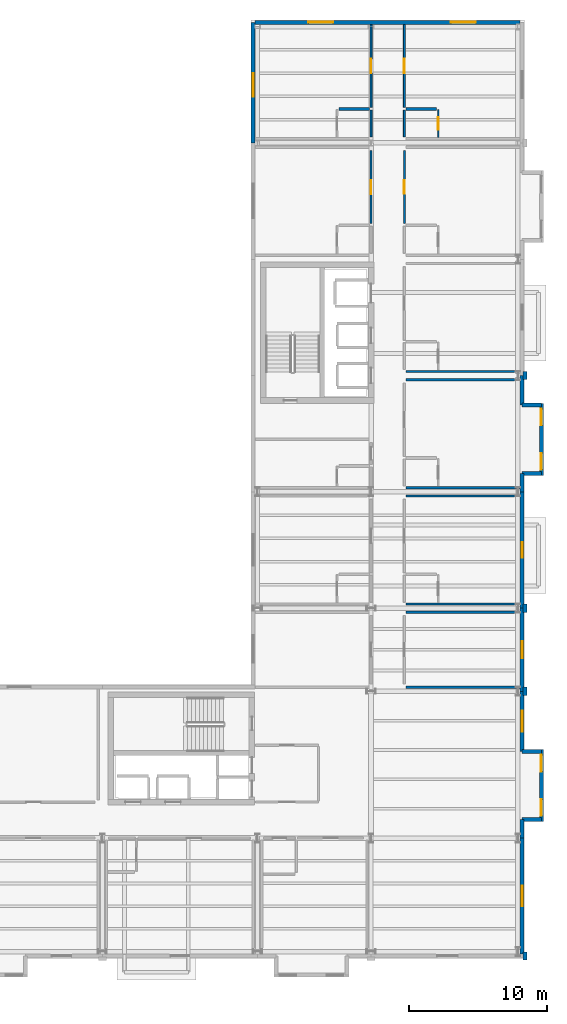
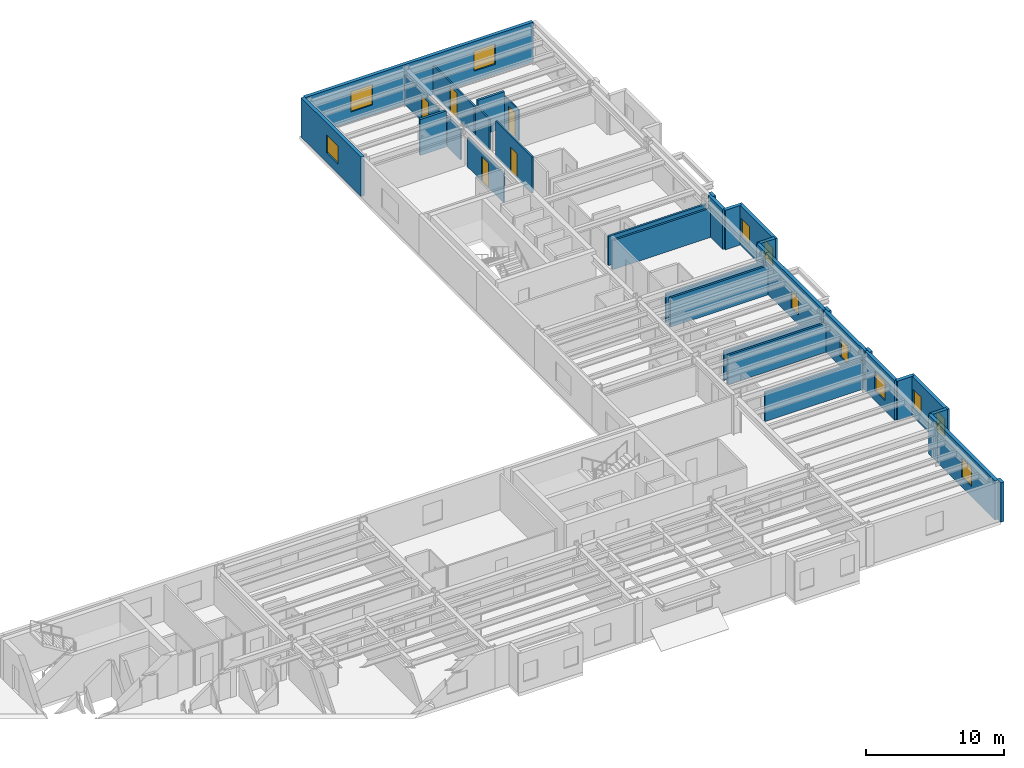
# One storey, part 17 of 23: 35 walls, 11 windows, 5 doors, 16 openings.
"""IFC4 building model written with IfcOpenShell, lengths in metres."""

from ifc_helpers import new_model, si_unit, direction, frame, frame_2d, origin, place, context, subcontext, project, spatial, rectangle, extrude, material, layer, layer_set, type_object, element, fill, save


model = new_model("IFC4")

# Units and contexts
model_context = context("Model", 3, precision=1e-05, world=origin(), true_north=direction((0.0, 1.0)))
body_context = subcontext(model_context, "Body", "Model", "MODEL_VIEW")
ifc_project = project(units=[si_unit("LENGTHUNIT", "METRE"), si_unit("AREAUNIT", "SQUARE_METRE"), si_unit("VOLUMEUNIT", "CUBIC_METRE"), si_unit("PLANEANGLEUNIT", "RADIAN"), si_unit("MASSUNIT", "GRAM", prefix="KILO")], contexts=[model_context])

# Site, building, storey
site_placement = place(None, origin())
site = spatial("IfcSite", under=ifc_project, at=site_placement, CompositionType="ELEMENT")
building_placement = place(site_placement, origin())
building = spatial("IfcBuilding", under=site, at=building_placement, Name="Sollismere Congress Hotel", CompositionType="ELEMENT")
storey_placement = place(building_placement, frame((0.0, 0.0, 30.60009765625)))
storey = spatial("IfcBuildingStorey", under=building, at=storey_placement, Name="L07", CompositionType="ELEMENT", Elevation=30.60009765625)

# Wall, opening, window
ifc_material_1 = material(Name="Colorado Buff Sandstone Rainscreen on Insulated Backup", Category="masonry")
ifc_layer_1 = layer(ifc_material_1, 0.284912109375, Name="Colorado Buff Sandstone Rainscreen on Insulated Backup")
ifc_layer_set_1 = layer_set([ifc_layer_1], Name="Colorado Buff Sandstone Rainscreen on Insulated Backup")
wall_type_1 = type_object("IfcWallType", Name="WL-EXT285", PredefinedType="STANDARD", material=ifc_layer_set_1)
wall_1_placement = place(storey_placement, frame((166.31005859375, -0.16552734375, 0.0), z_axis=(0.0, 0.0, 1.0), x_axis=(0.0, 1.0, 0.0)))
wall_1 = element("IfcWall", 1, at=wall_1_placement, inside=storey, type_object=wall_type_1, Name="Exterior wall EW-L07-769", PredefinedType="STANDARD", context=body_context, shape_type="SweptSolid", body=[
    extrude(rectangle(XDim=8.365478515625, YDim=0.284912109375, at=frame_2d((4.1826171875, 0.0))), origin(), (0.0, 0.0, 1.0), 3.5),
])
opening_1_placement = place(wall_1_placement, frame((3.4326171875, 0.0, 0.8798828125)))
opening_1 = element("IfcOpeningElement", 2, at=opening_1_placement, cuts=wall_1, Name="Opening W-L07-561", PredefinedType="OPENING", context=body_context, shape_type="SweptSolid", body=[
    extrude(rectangle(XDim=1.5, YDim=1.699951171875, at=frame_2d((0.75, 0.85009765625))), frame((0.0, 0.15234375, 0.0), z_axis=(0.0, -1.0, 0.0), x_axis=(1.0, 0.0, 0.0)), (0.0, 0.0, 1.0), 0.304931640625),
])
ifc_material_2 = material(Name="Thermally Broken Bronze Aluminum & Low-E Glass", Category="aluminium")
window_type_1 = type_object("IfcWindowType", Name="WN-P150x170", PartitioningType="SINGLE_PANEL", PredefinedType="WINDOW", material=ifc_material_2)
window_1_placement = place(opening_1_placement, origin())
window_1 = element("IfcWindow", 3, at=window_1_placement, inside=storey, type_object=window_type_1, Name="WIN-W-L07-561", OverallHeight=1.699951171875, OverallWidth=1.5, PartitioningType="SINGLE_PANEL", PredefinedType="WINDOW", context=body_context, shape_type="SweptSolid", body=[
    extrude(rectangle(XDim=1.5, YDim=1.699951171875, at=frame_2d((0.75, 0.85009765625))), frame((0.0, 0.030029296875, 0.0), z_axis=(0.0, -1.0, 0.0), x_axis=(1.0, 0.0, 0.0)), (0.0, 0.0, 1.0), 0.06005859375),
])
fill(opening_1, window_1)

# Wall
wall_2_placement = place(storey_placement, frame((166.31005859375, 8.199951171875, 0.0), z_axis=(0.0, 0.0, 1.0), x_axis=(0.0, 1.0, 0.0)))
element("IfcWall", 4, at=wall_2_placement, inside=storey, type_object=wall_type_1, Name="Exterior wall EW-L07-771", PredefinedType="STANDARD", context=body_context, shape_type="SweptSolid", body=[
    extrude(rectangle(XDim=1.340087890625, YDim=0.284912109375, at=frame_2d((0.669921875, 0.0))), origin(), (0.0, 0.0, 1.0), 3.5),
])

# Wall, opening, window
wall_3_placement = place(storey_placement, frame((166.31005859375, 14.4599609375, 0.0), z_axis=(0.0, 0.0, 1.0), x_axis=(0.0, 1.0, 0.0)))
wall_3 = element("IfcWall", 5, at=wall_3_placement, inside=storey, type_object=wall_type_1, Name="Exterior wall EW-L07-772", PredefinedType="STANDARD", context=body_context, shape_type="SweptSolid", body=[
    extrude(rectangle(XDim=4.340087890625, YDim=0.284912109375, at=frame_2d((2.169921875, 0.0))), origin(), (0.0, 0.0, 1.0), 3.5),
])
opening_2_placement = place(wall_3_placement, frame((1.419921875, 0.0, 0.8798828125)))
opening_2 = element("IfcOpeningElement", 6, at=opening_2_placement, cuts=wall_3, Name="Opening W-L07-562", PredefinedType="OPENING", context=body_context, shape_type="SweptSolid", body=[
    extrude(rectangle(XDim=1.5, YDim=1.699951171875, at=frame_2d((0.75, 0.85009765625))), frame((0.0, 0.15234375, 0.0), z_axis=(0.0, -1.0, 0.0), x_axis=(1.0, 0.0, 0.0)), (0.0, 0.0, 1.0), 0.304931640625),
])
window_2_placement = place(opening_2_placement, origin())
window_2 = element("IfcWindow", 7, at=window_2_placement, inside=storey, type_object=window_type_1, Name="WIN-W-L07-562", OverallHeight=1.699951171875, OverallWidth=1.5, PartitioningType="SINGLE_PANEL", PredefinedType="WINDOW", context=body_context, shape_type="SweptSolid", body=[
    extrude(rectangle(XDim=1.5, YDim=1.699951171875, at=frame_2d((0.75, 0.85009765625))), frame((0.0, 0.030029296875, 0.0), z_axis=(0.0, -1.0, 0.0), x_axis=(1.0, 0.0, 0.0)), (0.0, 0.0, 1.0), 0.06005859375),
])
fill(opening_2, window_2)

# Wall, openings, windows
wall_4_placement = place(storey_placement, frame((167.699951171875, 9.39990234375, 0.0), z_axis=(0.0, 0.0, 1.0), x_axis=(0.0, 1.0, 0.0)))
wall_4 = element("IfcWall", 8, at=wall_4_placement, inside=storey, type_object=wall_type_1, Name="Exterior wall EW-L07-773", PredefinedType="STANDARD", context=body_context, shape_type="SweptSolid", body=[
    extrude(rectangle(XDim=5.2001953125, YDim=0.284912109375, at=frame_2d((2.60009765625, 0.0))), origin(), (0.0, 0.0, 1.0), 3.5),
])
opening_3_placement = place(wall_4_placement, frame((0.39990234375, 0.0, 0.85009765625)))
opening_3 = element("IfcOpeningElement", 9, at=opening_3_placement, cuts=wall_4, Name="Opening W-L07-563", PredefinedType="OPENING", context=body_context, shape_type="SweptSolid", body=[
    extrude(rectangle(XDim=1.199951171875, YDim=1.60009765625, at=frame_2d((0.60009765625, 0.800048828125))), frame((0.0, 0.15234375, 0.0), z_axis=(0.0, -1.0, 0.0), x_axis=(1.0, 0.0, 0.0)), (0.0, 0.0, 1.0), 0.304931640625),
])
opening_4_placement = place(wall_4_placement, frame((3.60009765625, 0.0, 0.85009765625)))
opening_4 = element("IfcOpeningElement", 10, at=opening_4_placement, cuts=wall_4, Name="Opening W-L07-564", PredefinedType="OPENING", context=body_context, shape_type="SweptSolid", body=[
    extrude(rectangle(XDim=1.199951171875, YDim=1.60009765625, at=frame_2d((0.60009765625, 0.800048828125))), frame((0.0, 0.15234375, 0.0), z_axis=(0.0, -1.0, 0.0), x_axis=(1.0, 0.0, 0.0)), (0.0, 0.0, 1.0), 0.304931640625),
])
window_type_2 = type_object("IfcWindowType", Name="WN-P120x160", PartitioningType="SINGLE_PANEL", PredefinedType="WINDOW", material=ifc_material_2)
window_3_placement = place(opening_3_placement, origin())
window_3 = element("IfcWindow", 11, at=window_3_placement, inside=storey, type_object=window_type_2, Name="WIN-W-L07-563", OverallHeight=1.60009765625, OverallWidth=1.199951171875, PartitioningType="SINGLE_PANEL", PredefinedType="WINDOW", context=body_context, shape_type="SweptSolid", body=[
    extrude(rectangle(XDim=1.199951171875, YDim=1.60009765625, at=frame_2d((0.60009765625, 0.800048828125))), frame((0.0, 0.030029296875, 0.0), z_axis=(0.0, -1.0, 0.0), x_axis=(1.0, 0.0, 0.0)), (0.0, 0.0, 1.0), 0.06005859375),
])
fill(opening_3, window_3)
window_4_placement = place(opening_4_placement, origin())
window_4 = element("IfcWindow", 12, at=window_4_placement, inside=storey, type_object=window_type_2, Name="WIN-W-L07-564", OverallHeight=1.60009765625, OverallWidth=1.199951171875, PartitioningType="SINGLE_PANEL", PredefinedType="WINDOW", context=body_context, shape_type="SweptSolid", body=[
    extrude(rectangle(XDim=1.199951171875, YDim=1.60009765625, at=frame_2d((0.60009765625, 0.800048828125))), frame((0.0, 0.030029296875, 0.0), z_axis=(0.0, -1.0, 0.0), x_axis=(1.0, 0.0, 0.0)), (0.0, 0.0, 1.0), 0.06005859375),
])
fill(opening_4, window_4)

# Walls
for number, where, z_axis, x_axis, name in (
    (13, (166.31005859375, 9.5400390625, 0.0), (0.0, 0.0, 1.0), (1.0, 0.0, 0.0), "Exterior wall EW-L07-774"),
    (14, (167.699951171875, 14.4599609375, 0.0), (0.0, 0.0, 1.0), (-1.0, 0.0, 0.0), "Exterior wall EW-L07-775"),
):
    element("IfcWall", number, at=place(storey_placement, frame(where, z_axis=z_axis, x_axis=x_axis)), inside=storey, type_object=wall_type_1, Name=name, PredefinedType="STANDARD", context=body_context, shape_type="SweptSolid", body=[
        extrude(rectangle(XDim=1.389892578125, YDim=0.284912109375, at=frame_2d((0.69482421875, 0.0))), origin(), (0.0, 0.0, 1.0), 3.5),
    ])

# Wall, opening, window
wall_5_placement = place(storey_placement, frame((166.31005859375, 18.800048828125, 0.0), z_axis=(0.0, 0.0, 1.0), x_axis=(0.0, 1.0, 0.0)))
wall_5 = element("IfcWall", 15, at=wall_5_placement, inside=storey, type_object=wall_type_1, Name="Exterior wall EW-L07-776", PredefinedType="STANDARD", context=body_context, shape_type="SweptSolid", body=[
    extrude(rectangle(XDim=6.0, YDim=0.284912109375, at=frame_2d((3.0, 0.0))), origin(), (0.0, 0.0, 1.0), 3.5),
])
opening_5_placement = place(wall_5_placement, frame((2.39990234375, 0.0, 0.85009765625)))
opening_5 = element("IfcOpeningElement", 16, at=opening_5_placement, cuts=wall_5, Name="Opening W-L07-565", PredefinedType="OPENING", context=body_context, shape_type="SweptSolid", body=[
    extrude(rectangle(XDim=1.199951171875, YDim=1.60009765625, at=frame_2d((0.60009765625, 0.800048828125))), frame((0.0, 0.15234375, 0.0), z_axis=(0.0, -1.0, 0.0), x_axis=(1.0, 0.0, 0.0)), (0.0, 0.0, 1.0), 0.304931640625),
])
window_5_placement = place(opening_5_placement, origin())
window_5 = element("IfcWindow", 17, at=window_5_placement, inside=storey, type_object=window_type_2, Name="WIN-W-L07-565", OverallHeight=1.60009765625, OverallWidth=1.199951171875, PartitioningType="SINGLE_PANEL", PredefinedType="WINDOW", context=body_context, shape_type="SweptSolid", body=[
    extrude(rectangle(XDim=1.199951171875, YDim=1.60009765625, at=frame_2d((0.60009765625, 0.800048828125))), frame((0.0, 0.030029296875, 0.0), z_axis=(0.0, -1.0, 0.0), x_axis=(1.0, 0.0, 0.0)), (0.0, 0.0, 1.0), 0.06005859375),
])
fill(opening_5, window_5)

wall_6_placement = place(storey_placement, frame((166.31005859375, 24.800048828125, 0.0), z_axis=(0.0, 0.0, 1.0), x_axis=(0.0, 1.0, 0.0)))
wall_6 = element("IfcWall", 18, at=wall_6_placement, inside=storey, type_object=wall_type_1, Name="Exterior wall EW-L07-778", PredefinedType="STANDARD", context=body_context, shape_type="SweptSolid", body=[
    extrude(rectangle(XDim=8.39990234375, YDim=0.284912109375, at=frame_2d((4.199951171875, 0.0))), origin(), (0.0, 0.0, 1.0), 3.5),
])
opening_6_placement = place(wall_6_placement, frame((3.64990234375, 0.0, 0.85009765625)))
opening_6 = element("IfcOpeningElement", 19, at=opening_6_placement, cuts=wall_6, Name="Opening W-L07-566", PredefinedType="OPENING", context=body_context, shape_type="SweptSolid", body=[
    extrude(rectangle(XDim=1.10009765625, YDim=1.5, at=frame_2d((0.550048828125, 0.75))), frame((0.0, 0.15234375, 0.0), z_axis=(0.0, -1.0, 0.0), x_axis=(1.0, 0.0, 0.0)), (0.0, 0.0, 1.0), 0.304931640625),
])
window_type_3 = type_object("IfcWindowType", Name="WN-P110x150", PartitioningType="SINGLE_PANEL", PredefinedType="WINDOW", material=ifc_material_2)
window_6_placement = place(opening_6_placement, origin())
window_6 = element("IfcWindow", 20, at=window_6_placement, inside=storey, type_object=window_type_3, Name="WIN-W-L07-566", OverallHeight=1.5, OverallWidth=1.10009765625, PartitioningType="SINGLE_PANEL", PredefinedType="WINDOW", context=body_context, shape_type="SweptSolid", body=[
    extrude(rectangle(XDim=1.10009765625, YDim=1.5, at=frame_2d((0.550048828125, 0.75))), frame((0.0, 0.030029296875, 0.0), z_axis=(0.0, -1.0, 0.0), x_axis=(1.0, 0.0, 0.0)), (0.0, 0.0, 1.0), 0.06005859375),
])
fill(opening_6, window_6)

# Walls
wall_7_placement = place(storey_placement, frame((166.31005859375, 33.199951171875, 0.0), z_axis=(0.0, 0.0, 1.0), x_axis=(0.0, 1.0, 0.0)))
element("IfcWall", 21, at=wall_7_placement, inside=storey, type_object=wall_type_1, Name="Exterior wall EW-L07-780", PredefinedType="STANDARD", context=body_context, shape_type="SweptSolid", body=[
    extrude(rectangle(XDim=1.340087890625, YDim=0.284912109375, at=frame_2d((0.669921875, 0.0))), origin(), (0.0, 0.0, 1.0), 3.5),
])
wall_8_placement = place(storey_placement, frame((166.31005859375, 39.4599609375, 0.0), z_axis=(0.0, 0.0, 1.0), x_axis=(0.0, 1.0, 0.0)))
element("IfcWall", 22, at=wall_8_placement, inside=storey, type_object=wall_type_1, Name="Exterior wall EW-L07-781", PredefinedType="STANDARD", context=body_context, shape_type="SweptSolid", body=[
    extrude(rectangle(XDim=2.14013671875, YDim=0.284912109375, at=frame_2d((1.070068359375, 0.0))), origin(), (0.0, 0.0, 1.0), 3.5),
])

# Wall, openings, windows
wall_9_placement = place(storey_placement, frame((167.699951171875, 34.39990234375, 0.0), z_axis=(0.0, 0.0, 1.0), x_axis=(0.0, 1.0, 0.0)))
wall_9 = element("IfcWall", 23, at=wall_9_placement, inside=storey, type_object=wall_type_1, Name="Exterior wall EW-L07-782", PredefinedType="STANDARD", context=body_context, shape_type="SweptSolid", body=[
    extrude(rectangle(XDim=5.2001953125, YDim=0.284912109375, at=frame_2d((2.60009765625, 0.0))), origin(), (0.0, 0.0, 1.0), 3.5),
])
opening_7_placement = place(wall_9_placement, frame((0.39990234375, 0.0, 0.85009765625)))
opening_7 = element("IfcOpeningElement", 24, at=opening_7_placement, cuts=wall_9, Name="Opening W-L07-567", PredefinedType="OPENING", context=body_context, shape_type="SweptSolid", body=[
    extrude(rectangle(XDim=1.199951171875, YDim=1.60009765625, at=frame_2d((0.60009765625, 0.800048828125))), frame((0.0, 0.15234375, 0.0), z_axis=(0.0, -1.0, 0.0), x_axis=(1.0, 0.0, 0.0)), (0.0, 0.0, 1.0), 0.304931640625),
])
opening_8_placement = place(wall_9_placement, frame((3.60009765625, 0.0, 0.85009765625)))
opening_8 = element("IfcOpeningElement", 25, at=opening_8_placement, cuts=wall_9, Name="Opening W-L07-568", PredefinedType="OPENING", context=body_context, shape_type="SweptSolid", body=[
    extrude(rectangle(XDim=1.199951171875, YDim=1.60009765625, at=frame_2d((0.60009765625, 0.800048828125))), frame((0.0, 0.15234375, 0.0), z_axis=(0.0, -1.0, 0.0), x_axis=(1.0, 0.0, 0.0)), (0.0, 0.0, 1.0), 0.304931640625),
])
window_7_placement = place(opening_7_placement, origin())
window_7 = element("IfcWindow", 26, at=window_7_placement, inside=storey, type_object=window_type_2, Name="WIN-W-L07-567", OverallHeight=1.60009765625, OverallWidth=1.199951171875, PartitioningType="SINGLE_PANEL", PredefinedType="WINDOW", context=body_context, shape_type="SweptSolid", body=[
    extrude(rectangle(XDim=1.199951171875, YDim=1.60009765625, at=frame_2d((0.60009765625, 0.800048828125))), frame((0.0, 0.030029296875, 0.0), z_axis=(0.0, -1.0, 0.0), x_axis=(1.0, 0.0, 0.0)), (0.0, 0.0, 1.0), 0.06005859375),
])
fill(opening_7, window_7)
window_8_placement = place(opening_8_placement, origin())
window_8 = element("IfcWindow", 27, at=window_8_placement, inside=storey, type_object=window_type_2, Name="WIN-W-L07-568", OverallHeight=1.60009765625, OverallWidth=1.199951171875, PartitioningType="SINGLE_PANEL", PredefinedType="WINDOW", context=body_context, shape_type="SweptSolid", body=[
    extrude(rectangle(XDim=1.199951171875, YDim=1.60009765625, at=frame_2d((0.60009765625, 0.800048828125))), frame((0.0, 0.030029296875, 0.0), z_axis=(0.0, -1.0, 0.0), x_axis=(1.0, 0.0, 0.0)), (0.0, 0.0, 1.0), 0.06005859375),
])
fill(opening_8, window_8)

# Walls
for number, where, z_axis, x_axis, name in (
    (28, (166.31005859375, 34.5400390625, 0.0), (0.0, 0.0, 1.0), (1.0, 0.0, 0.0), "Exterior wall EW-L07-783"),
    (29, (167.699951171875, 39.4599609375, 0.0), (0.0, 0.0, 1.0), (-1.0, 0.0, 0.0), "Exterior wall EW-L07-784"),
):
    element("IfcWall", number, at=place(storey_placement, frame(where, z_axis=z_axis, x_axis=x_axis)), inside=storey, type_object=wall_type_1, Name=name, PredefinedType="STANDARD", context=body_context, shape_type="SweptSolid", body=[
        extrude(rectangle(XDim=1.389892578125, YDim=0.284912109375, at=frame_2d((0.69482421875, 0.0))), origin(), (0.0, 0.0, 1.0), 3.5),
    ])

# Wall, opening, window
wall_10_placement = place(storey_placement, frame((146.889892578125, 58.39990234375, 0.0), z_axis=(0.0, 0.0, 1.0), x_axis=(0.0, 1.0, 0.0)))
wall_10 = element("IfcWall", 30, at=wall_10_placement, inside=storey, type_object=wall_type_1, Name="Exterior wall EW-L07-807", PredefinedType="STANDARD", context=body_context, shape_type="SweptSolid", body=[
    extrude(rectangle(XDim=8.710205078125, YDim=0.284912109375, at=frame_2d((4.35498046875, 0.0))), origin(), (0.0, 0.0, 1.0), 3.5),
])
opening_9_placement = place(wall_10_placement, frame((3.35009765625, 0.0, 0.85009765625)))
opening_9 = element("IfcOpeningElement", 31, at=opening_9_placement, cuts=wall_10, Name="Opening W-L07-584", PredefinedType="OPENING", context=body_context, shape_type="SweptSolid", body=[
    extrude(rectangle(XDim=1.699951171875, YDim=1.60009765625, at=frame_2d((0.85009765625, 0.800048828125))), frame((0.0, 0.15234375, 0.0), z_axis=(0.0, -1.0, 0.0), x_axis=(1.0, 0.0, 0.0)), (0.0, 0.0, 1.0), 0.304931640625),
])
window_type_4 = type_object("IfcWindowType", Name="WN-P170x160", PartitioningType="SINGLE_PANEL", PredefinedType="WINDOW", material=ifc_material_2)
window_9_placement = place(opening_9_placement, origin())
window_9 = element("IfcWindow", 32, at=window_9_placement, inside=storey, type_object=window_type_4, Name="WIN-W-L07-584", OverallHeight=1.60009765625, OverallWidth=1.699951171875, PartitioningType="SINGLE_PANEL", PredefinedType="WINDOW", context=body_context, shape_type="SweptSolid", body=[
    extrude(rectangle(XDim=1.699951171875, YDim=1.60009765625, at=frame_2d((0.85009765625, 0.800048828125))), frame((0.0, 0.030029296875, 0.0), z_axis=(0.0, -1.0, 0.0), x_axis=(1.0, 0.0, 0.0)), (0.0, 0.0, 1.0), 0.06005859375),
])
fill(opening_9, window_9)

# Wall, openings, windows
wall_11_placement = place(storey_placement, frame((166.16552734375, 67.110107421875, 0.0), z_axis=(0.0, 0.0, 1.0), x_axis=(-1.0, 0.0, 0.0)))
wall_11 = element("IfcWall", 33, at=wall_11_placement, inside=storey, type_object=wall_type_1, Name="Exterior wall EW-L07-810", PredefinedType="STANDARD", context=body_context, shape_type="SweptSolid", body=[
    extrude(rectangle(XDim=19.131103515625, YDim=0.284912109375, at=frame_2d((9.5654296875, 0.0))), origin(), (0.0, 0.0, 1.0), 3.5),
])
opening_10_placement = place(wall_11_placement, frame((3.199951171875, 0.0, 0.8798828125)))
opening_10 = element("IfcOpeningElement", 34, at=opening_10_placement, cuts=wall_11, Name="Opening W-L07-587", PredefinedType="OPENING", context=body_context, shape_type="SweptSolid", body=[
    extrude(rectangle(XDim=1.800048828125, YDim=1.800048828125, at=frame_2d((0.89990234375, 0.89990234375))), frame((0.0, 0.15234375, 0.0), z_axis=(0.0, -1.0, 0.0), x_axis=(1.0, 0.0, 0.0)), (0.0, 0.0, 1.0), 0.304931640625),
])
opening_11_placement = place(wall_11_placement, frame((13.5, 0.0, 0.8798828125)))
opening_11 = element("IfcOpeningElement", 35, at=opening_11_placement, cuts=wall_11, Name="Opening W-L07-588", PredefinedType="OPENING", context=body_context, shape_type="SweptSolid", body=[
    extrude(rectangle(XDim=1.800048828125, YDim=1.800048828125, at=frame_2d((0.89990234375, 0.89990234375))), frame((0.0, 0.15234375, 0.0), z_axis=(0.0, -1.0, 0.0), x_axis=(1.0, 0.0, 0.0)), (0.0, 0.0, 1.0), 0.304931640625),
])
window_type_5 = type_object("IfcWindowType", Name="WN-P180x180", PartitioningType="SINGLE_PANEL", PredefinedType="WINDOW", material=ifc_material_2)
window_10_placement = place(opening_10_placement, origin())
window_10 = element("IfcWindow", 36, at=window_10_placement, inside=storey, type_object=window_type_5, Name="WIN-W-L07-587", OverallHeight=1.800048828125, OverallWidth=1.800048828125, PartitioningType="SINGLE_PANEL", PredefinedType="WINDOW", context=body_context, shape_type="SweptSolid", body=[
    extrude(rectangle(XDim=1.800048828125, YDim=1.800048828125, at=frame_2d((0.89990234375, 0.89990234375))), frame((0.0, 0.030029296875, 0.0), z_axis=(0.0, -1.0, 0.0), x_axis=(1.0, 0.0, 0.0)), (0.0, 0.0, 1.0), 0.06005859375),
])
fill(opening_10, window_10)
window_11_placement = place(opening_11_placement, origin())
window_11 = element("IfcWindow", 37, at=window_11_placement, inside=storey, type_object=window_type_5, Name="WIN-W-L07-588", OverallHeight=1.800048828125, OverallWidth=1.800048828125, PartitioningType="SINGLE_PANEL", PredefinedType="WINDOW", context=body_context, shape_type="SweptSolid", body=[
    extrude(rectangle(XDim=1.800048828125, YDim=1.800048828125, at=frame_2d((0.89990234375, 0.89990234375))), frame((0.0, 0.030029296875, 0.0), z_axis=(0.0, -1.0, 0.0), x_axis=(1.0, 0.0, 0.0)), (0.0, 0.0, 1.0), 0.06005859375),
])
fill(opening_11, window_11)

# Walls
ifc_material_3 = material(Name="Carved Travertine Pilaster & Frieze Assembly", Category="masonry")
ifc_layer_2 = layer(ifc_material_3, 0.260009765625, Name="Carved Travertine Pilaster & Frieze Assembly")
ifc_layer_set_2 = layer_set([ifc_layer_2], Name="Carved Travertine Pilaster & Frieze Assembly")
wall_type_2 = type_object("IfcWallType", Name="WL-PIL280", PredefinedType="ELEMENTEDWALL", material=ifc_layer_set_2)
for number, where, z_axis, x_axis, name in (
    (38, (166.52001953125, -0.610107421875, 0.0), (0.0, 0.0, 1.0), (0.0, 1.0, 0.0), "Exterior wall EW-L07-770"),
    (39, (166.52001953125, 18.5, 0.0), (0.0, 0.0, 1.0), (0.0, 1.0, 0.0), "Exterior wall EW-L07-777"),
    (40, (166.52001953125, 24.5, 0.0), (0.0, 0.0, 1.0), (0.0, 1.0, 0.0), "Exterior wall EW-L07-779"),
):
    element("IfcWall", number, at=place(storey_placement, frame(where, z_axis=z_axis, x_axis=x_axis)), inside=storey, type_object=wall_type_2, Name=name, PredefinedType="ELEMENTEDWALL", context=body_context, shape_type="SweptSolid", body=[
        extrude(rectangle(XDim=0.60009765625, YDim=0.260009765625, at=frame_2d((0.300048828125, 0.0))), origin(), (0.0, 0.0, 1.0), 3.5),
    ])
wall_12_placement = place(storey_placement, frame((166.52001953125, 41.300048828125, 0.0), z_axis=(0.0, 0.0, 1.0), x_axis=(0.0, 1.0, 0.0)))
element("IfcWall", 41, at=wall_12_placement, inside=storey, type_object=wall_type_2, Name="Exterior wall EW-L07-786", PredefinedType="ELEMENTEDWALL", context=body_context, shape_type="SweptSolid", body=[
    extrude(rectangle(XDim=0.599853515625, YDim=0.260009765625, at=frame_2d((0.2998046875, 0.0))), origin(), (0.0, 0.0, 1.0), 3.5),
])
ifc_material_4 = material(Name="Moisture-Resistant Shaft Gypsum Assembly")
ifc_layer_3 = layer(ifc_material_4, 0.199951171875, Name="Moisture-Resistant Shaft Gypsum Assembly")
ifc_layer_set_3 = layer_set([ifc_layer_3], Name="Moisture-Resistant Shaft Gypsum Assembly")
wall_type_3 = type_object("IfcWallType", Name="WL-PLM200", PredefinedType="PLUMBINGWALL", material=ifc_layer_set_3)
for number, where, z_axis, x_axis, name in (
    (42, (157.919921875, 60.85009765625, 0.0), (0.0, 0.0, 1.0), (1.0, 0.0, 0.0), "Interior wall IW-L07-2372"),
    (43, (153.070068359375, 60.85009765625, 0.0), (0.0, 0.0, 1.0), (1.0, 0.0, 0.0), "Interior wall IW-L07-2377"),
):
    element("IfcWall", number, at=place(storey_placement, frame(where, z_axis=z_axis, x_axis=x_axis)), inside=storey, type_object=wall_type_3, Name=name, PredefinedType="PLUMBINGWALL", context=body_context, shape_type="SweptSolid", body=[
        extrude(rectangle(XDim=2.2099609375, YDim=0.199951171875, at=frame_2d((1.10498046875, 0.0))), origin(), (0.0, 0.0, 1.0), 3.199951171875),
    ])

# Wall, opening, door
ifc_material_5 = material(Name="Moisture-Resistant Gypsum Partition")
ifc_layer_4 = layer(ifc_material_5, 0.10009765625, Name="Moisture-Resistant Gypsum Partition")
ifc_layer_set_4 = layer_set([ifc_layer_4], Name="Moisture-Resistant Gypsum Partition")
wall_type_4 = type_object("IfcWallType", Name="WL-PRT100", PredefinedType="PARTITIONING", material=ifc_layer_set_4)
wall_13_placement = place(storey_placement, frame((160.25, 58.79443359375, 0.0), z_axis=(0.0, 0.0, 1.0), x_axis=(0.0, 1.0, 0.0)))
wall_13 = element("IfcWall", 44, at=wall_13_placement, inside=storey, type_object=wall_type_4, Name="Interior wall IW-L07-2373", PredefinedType="PARTITIONING", context=body_context, shape_type="SweptSolid", body=[
    extrude(rectangle(XDim=2.015625, YDim=0.10009765625, at=frame_2d((1.0078125, 0.0))), origin(), (0.0, 0.0, 1.0), 2.7578125),
])
opening_12_placement = place(wall_13_placement, frame((0.554931640625, 0.0, 0.0)))
opening_12 = element("IfcOpeningElement", 45, at=opening_12_placement, cuts=wall_13, Name="Opening D-L07-0837", PredefinedType="OPENING", context=body_context, shape_type="SweptSolid", body=[
    extrude(rectangle(XDim=0.905029296875, YDim=2.179931640625, at=frame_2d((0.45263671875, 1.08984375))), frame((0.0, 0.06005859375, 0.0), z_axis=(0.0, -1.0, 0.0), x_axis=(1.0, 0.0, 0.0)), (0.0, 0.0, 1.0), 0.1201171875),
])
ifc_material_6 = material(Name="Moisture-Sealed Timber Bathroom Door", Category="wood")
door_type_1 = type_object("IfcDoorType", Name="DR-BT06", OperationType="NOTDEFINED", PredefinedType="DOOR", material=ifc_material_6)
door_1_placement = place(opening_12_placement, origin())
door_1 = element("IfcDoor", 46, at=door_1_placement, inside=storey, type_object=door_type_1, Name="En-suite bathroom door D-L07-0837", OperationType="SINGLE_SWING_RIGHT", OverallHeight=2.179931640625, OverallWidth=0.905029296875, PredefinedType="DOOR", context=body_context, shape_type="SweptSolid", body=[
    extrude(rectangle(XDim=0.905029296875, YDim=2.179931640625, at=frame_2d((0.45263671875, 1.08984375))), frame((0.0, 0.02490234375, 0.0), z_axis=(0.0, -1.0, 0.0), x_axis=(1.0, 0.0, 0.0)), (0.0, 0.0, 1.0), 0.050048828125),
])
fill(opening_12, door_1)

ifc_material_7 = material(Name="Fire-Rated Gypsum Partition")
ifc_layer_5 = layer(ifc_material_7, 0.139892578125, Name="Fire-Rated Gypsum Partition")
ifc_layer_set_5 = layer_set([ifc_layer_5], Name="Fire-Rated Gypsum Partition")
wall_type_5 = type_object("IfcWallType", Name="WL-PRT140R", PredefinedType="PARTITIONING", material=ifc_layer_set_5)
wall_14_placement = place(storey_placement, frame((157.800048828125, 52.570068359375, 0.0), z_axis=(0.0, 0.0, 1.0), x_axis=(0.0, 1.0, 0.0)))
wall_14 = element("IfcWall", 47, at=wall_14_placement, inside=storey, type_object=wall_type_5, Name="Interior wall IW-L07-2358", PredefinedType="PARTITIONING", context=body_context, shape_type="SweptSolid", body=[
    extrude(rectangle(XDim=5.2900390625, YDim=0.139892578125, at=frame_2d((2.64501953125, 0.0))), origin(), (0.0, 0.0, 1.0), 3.199951171875),
])
opening_13_placement = place(wall_14_placement, frame((2.155029296875, 0.0, 0.0)))
opening_13 = element("IfcOpeningElement", 48, at=opening_13_placement, cuts=wall_14, Name="Opening D-L07-0832", PredefinedType="OPENING", context=body_context, shape_type="SweptSolid", body=[
    extrude(rectangle(XDim=0.97998046875, YDim=2.199951171875, at=frame_2d((0.489990234375, 1.10009765625))), frame((0.0, 0.079833984375, 0.0), z_axis=(0.0, -1.0, 0.0), x_axis=(1.0, 0.0, 0.0)), (0.0, 0.0, 1.0), 0.159912109375),
])
ifc_material_8 = material(Name="Solid-Core Acoustic Walnut Guestroom Entry Door")
door_type_2 = type_object("IfcDoorType", Name="DR-KY03", OperationType="NOTDEFINED", PredefinedType="DOOR", material=ifc_material_8)
door_2_placement = place(opening_13_placement, origin())
door_2 = element("IfcDoor", 49, at=door_2_placement, inside=storey, type_object=door_type_2, Name="Hotel room entry door D-L07-0832", OperationType="SINGLE_SWING_LEFT", OverallHeight=2.199951171875, OverallWidth=0.97998046875, PredefinedType="DOOR", context=body_context, shape_type="SweptSolid", body=[
    extrude(rectangle(XDim=0.97998046875, YDim=2.199951171875, at=frame_2d((0.489990234375, 1.10009765625))), frame((0.0, 0.02490234375, 0.0), z_axis=(0.0, -1.0, 0.0), x_axis=(1.0, 0.0, 0.0)), (0.0, 0.0, 1.0), 0.050048828125),
])
fill(opening_13, door_2)

wall_15_placement = place(storey_placement, frame((155.39990234375, 52.570068359375, 0.0), z_axis=(0.0, 0.0, 1.0), x_axis=(0.0, 1.0, 0.0)))
wall_15 = element("IfcWall", 50, at=wall_15_placement, inside=storey, type_object=wall_type_5, Name="Interior wall IW-L07-2364", PredefinedType="PARTITIONING", context=body_context, shape_type="SweptSolid", body=[
    extrude(rectangle(XDim=5.2900390625, YDim=0.139892578125, at=frame_2d((2.64501953125, 0.0))), origin(), (0.0, 0.0, 1.0), 2.58984375),
])
opening_14_placement = place(wall_15_placement, frame((2.139892578125, 0.0, 0.0)))
opening_14 = element("IfcOpeningElement", 51, at=opening_14_placement, cuts=wall_15, Name="Opening D-L07-0834", PredefinedType="OPENING", context=body_context, shape_type="SweptSolid", body=[
    extrude(rectangle(XDim=1.010009765625, YDim=2.199951171875, at=frame_2d((0.5048828125, 1.10009765625))), frame((0.0, 0.079833984375, 0.0), z_axis=(0.0, -1.0, 0.0), x_axis=(1.0, 0.0, 0.0)), (0.0, 0.0, 1.0), 0.159912109375),
])
door_type_3 = type_object("IfcDoorType", Name="DR-KY04", OperationType="NOTDEFINED", PredefinedType="DOOR", material=ifc_material_8)
door_3_placement = place(opening_14_placement, origin())
door_3 = element("IfcDoor", 52, at=door_3_placement, inside=storey, type_object=door_type_3, Name="Hotel room entry door D-L07-0834", OperationType="SINGLE_SWING_LEFT", OverallHeight=2.199951171875, OverallWidth=1.010009765625, PredefinedType="DOOR", context=body_context, shape_type="SweptSolid", body=[
    extrude(rectangle(XDim=1.010009765625, YDim=2.199951171875, at=frame_2d((0.5048828125, 1.10009765625))), frame((0.0, 0.02490234375, 0.0), z_axis=(0.0, -1.0, 0.0), x_axis=(1.0, 0.0, 0.0)), (0.0, 0.0, 1.0), 0.050048828125),
])
fill(opening_14, door_3)

# Wall
wall_16_placement = place(storey_placement, frame((157.800048828125, 58.840087890625, 0.0), z_axis=(0.0, 0.0, 1.0), x_axis=(0.0, 1.0, 0.0)))
element("IfcWall", 53, at=wall_16_placement, inside=storey, type_object=wall_type_5, Name="Interior wall IW-L07-2369", PredefinedType="PARTITIONING", context=body_context, shape_type="SweptSolid", body=[
    extrude(rectangle(XDim=1.929931640625, YDim=0.139892578125, at=frame_2d((0.96484375, 0.0))), origin(), (0.0, 0.0, 1.0), 2.7578125),
])

# Wall, opening, door
wall_17_placement = place(storey_placement, frame((157.800048828125, 60.969970703125, 0.0), z_axis=(0.0, 0.0, 1.0), x_axis=(0.0, 1.0, 0.0)))
wall_17 = element("IfcWall", 54, at=wall_17_placement, inside=storey, type_object=wall_type_5, Name="Interior wall IW-L07-2370", PredefinedType="PARTITIONING", context=body_context, shape_type="SweptSolid", body=[
    extrude(rectangle(XDim=5.982421875, YDim=0.139892578125, at=frame_2d((2.9912109375, 0.0))), origin(), (0.0, 0.0, 1.0), 2.61279296875),
])
opening_15_placement = place(wall_17_placement, frame((2.470947265625, 0.0, 0.0)))
opening_15 = element("IfcOpeningElement", 55, at=opening_15_placement, cuts=wall_17, Name="Opening D-L07-0836", PredefinedType="OPENING", context=body_context, shape_type="SweptSolid", body=[
    extrude(rectangle(XDim=1.0400390625, YDim=2.25, at=frame_2d((0.52001953125, 1.125))), frame((0.0, 0.079833984375, 0.0), z_axis=(0.0, -1.0, 0.0), x_axis=(1.0, 0.0, 0.0)), (0.0, 0.0, 1.0), 0.159912109375),
])
door_type_4 = type_object("IfcDoorType", Name="DR-KY05", OperationType="NOTDEFINED", PredefinedType="DOOR", material=ifc_material_8)
door_4_placement = place(opening_15_placement, origin())
door_4 = element("IfcDoor", 56, at=door_4_placement, inside=storey, type_object=door_type_4, Name="Hotel room entry door D-L07-0836", OperationType="SINGLE_SWING_LEFT", OverallHeight=2.25, OverallWidth=1.0400390625, PredefinedType="DOOR", context=body_context, shape_type="SweptSolid", body=[
    extrude(rectangle(XDim=1.0400390625, YDim=2.25, at=frame_2d((0.52001953125, 1.125))), frame((0.0, 0.02490234375, 0.0), z_axis=(0.0, -1.0, 0.0), x_axis=(1.0, 0.0, 0.0)), (0.0, 0.0, 1.0), 0.050048828125),
])
fill(opening_15, door_4)

# Wall
wall_18_placement = place(storey_placement, frame((155.39990234375, 58.840087890625, 0.0), z_axis=(0.0, 0.0, 1.0), x_axis=(0.0, 1.0, 0.0)))
element("IfcWall", 57, at=wall_18_placement, inside=storey, type_object=wall_type_5, Name="Interior wall IW-L07-2374", PredefinedType="PARTITIONING", context=body_context, shape_type="SweptSolid", body=[
    extrude(rectangle(XDim=1.929931640625, YDim=0.139892578125, at=frame_2d((0.96484375, 0.0))), origin(), (0.0, 0.0, 1.0), 2.673828125),
])

# Wall, opening, door
wall_19_placement = place(storey_placement, frame((155.39990234375, 60.969970703125, 0.0), z_axis=(0.0, 0.0, 1.0), x_axis=(0.0, 1.0, 0.0)))
wall_19 = element("IfcWall", 58, at=wall_19_placement, inside=storey, type_object=wall_type_5, Name="Interior wall IW-L07-2375", PredefinedType="PARTITIONING", context=body_context, shape_type="SweptSolid", body=[
    extrude(rectangle(XDim=5.982421875, YDim=0.139892578125, at=frame_2d((2.9912109375, 0.0))), origin(), (0.0, 0.0, 1.0), 2.61279296875),
])
opening_16_placement = place(wall_19_placement, frame((2.4560546875, 0.0, 0.0)))
opening_16 = element("IfcOpeningElement", 59, at=opening_16_placement, cuts=wall_19, Name="Opening D-L07-0838", PredefinedType="OPENING", context=body_context, shape_type="SweptSolid", body=[
    extrude(rectangle(XDim=1.070068359375, YDim=2.25, at=frame_2d((0.53515625, 1.125))), frame((0.0, 0.079833984375, 0.0), z_axis=(0.0, -1.0, 0.0), x_axis=(1.0, 0.0, 0.0)), (0.0, 0.0, 1.0), 0.159912109375),
])
door_type_5 = type_object("IfcDoorType", Name="DR-KY06", OperationType="NOTDEFINED", PredefinedType="DOOR", material=ifc_material_8)
door_5_placement = place(opening_16_placement, origin())
door_5 = element("IfcDoor", 60, at=door_5_placement, inside=storey, type_object=door_type_5, Name="Hotel room entry door D-L07-0838", OperationType="SINGLE_SWING_LEFT", OverallHeight=2.25, OverallWidth=1.070068359375, PredefinedType="DOOR", context=body_context, shape_type="SweptSolid", body=[
    extrude(rectangle(XDim=1.070068359375, YDim=2.25, at=frame_2d((0.53515625, 1.125))), frame((0.0, 0.02490234375, 0.0), z_axis=(0.0, -1.0, 0.0), x_axis=(1.0, 0.0, 0.0)), (0.0, 0.0, 1.0), 0.050048828125),
])
fill(opening_16, door_5)

# Walls
ifc_material_9 = material(Name="Fire-Rated Acoustic Gypsum Partition")
ifc_layer_6 = layer(ifc_material_9, 0.1650390625, Name="Fire-Rated Acoustic Gypsum Partition")
ifc_layer_set_6 = layer_set([ifc_layer_6], Name="Fire-Rated Acoustic Gypsum Partition")
wall_type_6 = type_object("IfcWallType", Name="WL-PRT165R", PredefinedType="PARTITIONING", material=ifc_layer_set_6)
for number, where, z_axis, x_axis, name in (
    (61, (157.93994140625, 25.10009765625, 0.0), (0.0, 0.0, 1.0), (1.0, 0.0, 0.0), "Interior wall IW-L07-2329"),
    (62, (157.93994140625, 32.89990234375, 0.0), (0.0, 0.0, 1.0), (1.0, 0.0, 0.0), "Interior wall IW-L07-2330"),
    (63, (157.93994140625, 33.5, 0.0), (0.0, 0.0, 1.0), (1.0, 0.0, 0.0), "Interior wall IW-L07-2341"),
    (64, (157.93994140625, 41.300048828125, 0.0), (0.0, 0.0, 1.0), (1.0, 0.0, 0.0), "Interior wall IW-L07-2342"),
    (65, (157.93994140625, 41.89990234375, 0.0), (0.0, 0.0, 1.0), (1.0, 0.0, 0.0), "Interior wall IW-L07-2353"),
    (66, (157.93994140625, 19.10009765625, 0.0), (0.0, 0.0, 1.0), (1.0, 0.0, 0.0), "Interior wall IW-L07-2386"),
    (67, (157.93994140625, 24.5, 0.0), (0.0, 0.0, 1.0), (1.0, 0.0, 0.0), "Interior wall IW-L07-2387"),
):
    element("IfcWall", number, at=place(storey_placement, frame(where, z_axis=z_axis, x_axis=x_axis)), inside=storey, type_object=wall_type_6, Name=name, PredefinedType="PARTITIONING", context=body_context, shape_type="SweptSolid", body=[
        extrude(rectangle(XDim=8.212646484375, YDim=0.1650390625, at=frame_2d((4.1064453125, 0.0))), origin(), (0.0, 0.0, 1.0), 2.58984375),
    ])

save(model, "model.ifc")
